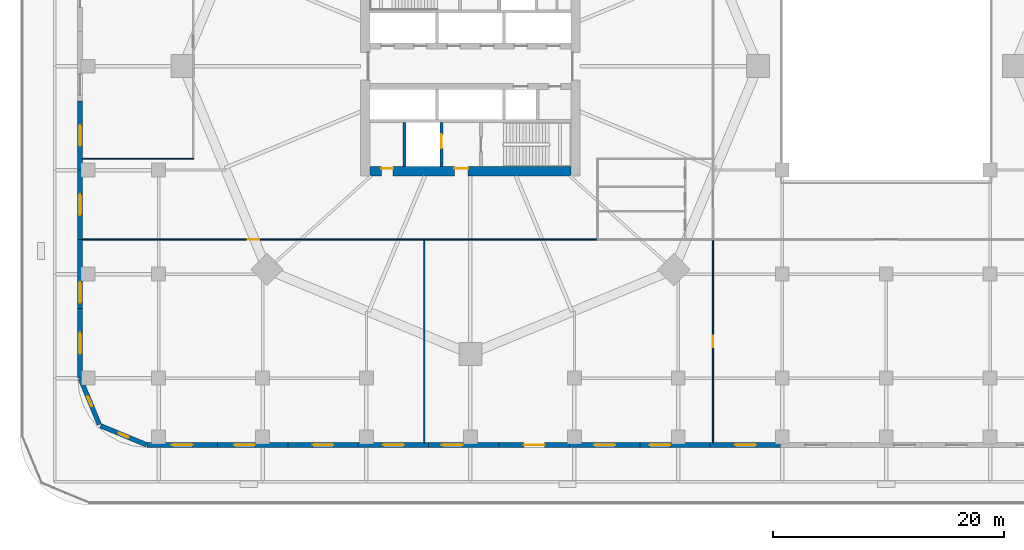
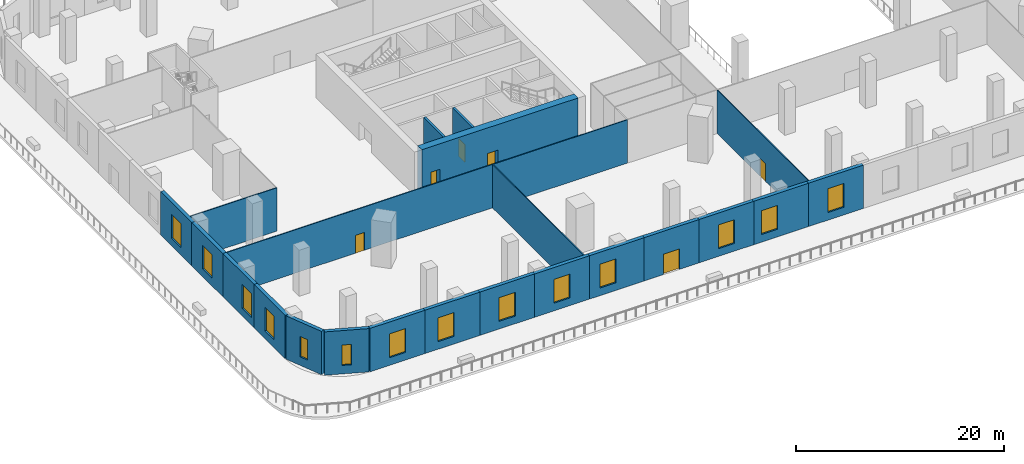
# One storey, part 4 of 20: 23 walls, 14 windows, 6 doors, 20 openings.
"""IFC4 building model written with IfcOpenShell, lengths in metres."""

from ifc_helpers import new_model, si_unit, direction, frame, frame_2d, origin, place, context, subcontext, project, spatial, rectangle, extrude, material, layer, layer_set, type_object, element, fill, save


model = new_model("IFC4")

# Units and contexts
model_context = context("Model", 3, precision=1e-05, world=origin(), true_north=direction((0.0, 1.0)))
body_context = subcontext(model_context, "Body", "Model", "MODEL_VIEW")
ifc_project = project(units=[si_unit("LENGTHUNIT", "METRE"), si_unit("AREAUNIT", "SQUARE_METRE"), si_unit("VOLUMEUNIT", "CUBIC_METRE"), si_unit("PLANEANGLEUNIT", "RADIAN"), si_unit("MASSUNIT", "GRAM", prefix="KILO")], contexts=[model_context])

# Site, building, storey
site_placement = place(None, origin())
site = spatial("IfcSite", under=ifc_project, at=site_placement, CompositionType="ELEMENT")
building_placement = place(site_placement, origin())
building = spatial("IfcBuilding", under=site, at=building_placement, Name="Ogive Gate Towers", CompositionType="ELEMENT")
storey_placement = place(building_placement, frame((0.0, 0.0, 7.199951171875)))
storey = spatial("IfcBuildingStorey", under=building, at=storey_placement, Name="L01", CompositionType="ELEMENT", Elevation=7.199951171875)

# Wall, openings, doors
ifc_material_1 = material(Name="Concrete C60/75", Category="concrete")
ifc_layer_1 = layer(ifc_material_1, 0.800048828125)
ifc_layer_set_1 = layer_set([ifc_layer_1], Name="Core wall 800 mm")
wall_type_1 = type_object("IfcWallType", Name="Core wall 800 mm", PredefinedType="SHEAR", material=ifc_layer_set_1)
wall_1_placement = place(storey_placement, frame((-44.699951171875, -9.10009765625, 0.0), z_axis=(0.0, 0.0, 1.0), x_axis=(1.0, 0.0, 0.0)))
wall_1 = element("IfcWall", 1, at=wall_1_placement, inside=storey, type_object=wall_type_1, Name="T1 L01 Core wall 800 mm", PredefinedType="SHEAR", context=body_context, shape_type="SweptSolid", body=[
    extrude(rectangle(XDim=17.39990234375, YDim=0.800048828125, at=frame_2d((8.699951171875, 0.0))), origin(), (0.0, 0.0, 1.0), 5.10009765625),
])
opening_1_placement = place(wall_1_placement, frame((7.300048828125, 0.0, 0.0)))
opening_1 = element("IfcOpeningElement", 2, at=opening_1_placement, cuts=wall_1, Name="Opening KD-T1-L01-16", PredefinedType="OPENING", context=body_context, shape_type="SweptSolid", body=[
    extrude(rectangle(XDim=1.199951171875, YDim=2.10009765625, at=frame_2d((0.60009765625, 1.050048828125))), frame((0.0, 0.41015625, 0.0), z_axis=(0.0, -1.0, 0.0), x_axis=(1.0, 0.0, 0.0)), (0.0, 0.0, 1.0), 0.820068359375),
])
opening_2_placement = place(wall_1_placement, frame((1.0, 0.0, 0.0)))
opening_2 = element("IfcOpeningElement", 3, at=opening_2_placement, cuts=wall_1, Name="Opening KD-T1-L01-19", PredefinedType="OPENING", context=body_context, shape_type="SweptSolid", body=[
    extrude(rectangle(XDim=1.0, YDim=2.10009765625, at=frame_2d((0.5, 1.050048828125))), frame((0.0, 0.41015625, 0.0), z_axis=(0.0, -1.0, 0.0), x_axis=(1.0, 0.0, 0.0)), (0.0, 0.0, 1.0), 0.820068359375),
])
ifc_material_2 = material(Name="Timber door", Category="wood")
door_type_1 = type_object("IfcDoorType", Name="Accessible WC door 1000 x 2100", OperationType="NOTDEFINED", PredefinedType="DOOR", material=ifc_material_2)
door_1_placement = place(opening_2_placement, origin())
door_1 = element("IfcDoor", 4, at=door_1_placement, inside=storey, type_object=door_type_1, Name="T1 L01 Core door", OperationType="SINGLE_SWING_RIGHT", OverallHeight=2.10009765625, OverallWidth=1.0, PredefinedType="DOOR", context=body_context, shape_type="SweptSolid", body=[
    extrude(rectangle(XDim=1.0, YDim=2.10009765625, at=frame_2d((0.5, 1.050048828125))), frame((0.0, 0.27490234375, 0.0), z_axis=(0.0, -1.0, 0.0), x_axis=(1.0, 0.0, 0.0)), (0.0, 0.0, 1.0), 0.050048828125),
])
fill(opening_2, door_1)
ifc_material_3 = material(Name="Steel fire door", Category="steel")
door_type_2 = type_object("IfcDoorType", Name="Core door FD60S 1200 x 2100", OperationType="NOTDEFINED", PredefinedType="DOOR", material=ifc_material_3)
door_2_placement = place(opening_1_placement, origin())
door_2 = element("IfcDoor", 5, at=door_2_placement, inside=storey, type_object=door_type_2, Name="T1 L01 Fire-fighting lobby door", OperationType="SINGLE_SWING_LEFT", OverallHeight=2.10009765625, OverallWidth=1.199951171875, PredefinedType="DOOR", context=body_context, shape_type="SweptSolid", body=[
    extrude(rectangle(XDim=1.199951171875, YDim=2.10009765625, at=frame_2d((0.60009765625, 1.050048828125))), frame((0.0, 0.27490234375, 0.0), z_axis=(0.0, -1.0, 0.0), x_axis=(1.0, 0.0, 0.0)), (0.0, 0.0, 1.0), 0.050048828125),
])
fill(opening_1, door_2)

# Wall, opening, door
ifc_material_4 = material(Name="Gypsum board partition")
ifc_layer_2 = layer(ifc_material_4, 0.10009765625)
ifc_layer_set_2 = layer_set([ifc_layer_2], Name="Partition wall 100")
wall_type_2 = type_object("IfcWallType", Name="Partition wall 100", PredefinedType="PARTITIONING", material=ifc_layer_set_2)
wall_2_placement = place(storey_placement, frame((-15.0, -32.60009765625, 0.0), z_axis=(0.0, 0.0, 1.0), x_axis=(0.0, 1.0, 0.0)))
wall_2 = element("IfcWall", 6, at=wall_2_placement, inside=storey, type_object=wall_type_2, Name="L01 partition 033", PredefinedType="PARTITIONING", context=body_context, shape_type="SweptSolid", body=[
    extrude(rectangle(XDim=17.550048828125, YDim=0.10009765625, at=frame_2d((8.77490234375, 0.0))), origin(), (0.0, 0.0, 1.0), 5.10009765625),
])
opening_3_placement = place(wall_2_placement, frame((8.27490234375, 0.0, 0.0)))
opening_3 = element("IfcOpeningElement", 7, at=opening_3_placement, cuts=wall_2, Name="Opening PO142", PredefinedType="OPENING", context=body_context, shape_type="SweptSolid", body=[
    extrude(rectangle(XDim=1.0, YDim=2.10009765625, at=frame_2d((0.5, 1.050048828125))), frame((0.0, 0.06005859375, 0.0), z_axis=(0.0, -1.0, 0.0), x_axis=(1.0, 0.0, 0.0)), (0.0, 0.0, 1.0), 0.1201171875),
])
door_type_3 = type_object("IfcDoorType", Name="Door 1000 x 2100", OperationType="NOTDEFINED", PredefinedType="DOOR", material=ifc_material_2)
door_3_placement = place(opening_3_placement, origin())
door_3 = element("IfcDoor", 8, at=door_3_placement, inside=storey, type_object=door_type_3, Name="Door PO142", OperationType="SINGLE_SWING_RIGHT", OverallHeight=2.10009765625, OverallWidth=1.0, PredefinedType="DOOR", context=body_context, shape_type="SweptSolid", body=[
    extrude(rectangle(XDim=1.0, YDim=2.10009765625, at=frame_2d((0.5, 1.050048828125))), frame((0.0, 0.02490234375, 0.0), z_axis=(0.0, -1.0, 0.0), x_axis=(1.0, 0.0, 0.0)), (0.0, 0.0, 1.0), 0.050048828125),
])
fill(opening_3, door_3)

# Wall
wall_3_placement = place(storey_placement, frame((-40.0, -32.60009765625, 0.0), z_axis=(0.0, 0.0, 1.0), x_axis=(0.0, 1.0, 0.0)))
element("IfcWall", 9, at=wall_3_placement, inside=storey, type_object=wall_type_2, Name="L01 partition 035", PredefinedType="PARTITIONING", context=body_context, shape_type="SweptSolid", body=[
    extrude(rectangle(XDim=17.550048828125, YDim=0.10009765625, at=frame_2d((8.77490234375, 0.0))), origin(), (0.0, 0.0, 1.0), 5.10009765625),
])

# Wall, opening, door
wall_4_placement = place(storey_placement, frame((-69.60009765625, -15.0, 0.0), z_axis=(0.0, 0.0, 1.0), x_axis=(1.0, 0.0, 0.0)))
wall_4 = element("IfcWall", 10, at=wall_4_placement, inside=storey, type_object=wall_type_2, Name="L01 partition 036", PredefinedType="PARTITIONING", context=body_context, shape_type="SweptSolid", body=[
    extrude(rectangle(XDim=29.60009765625, YDim=0.10009765625, at=frame_2d((14.800048828125, 0.0))), origin(), (0.0, 0.0, 1.0), 5.10009765625),
])
opening_4_placement = place(wall_4_placement, frame((14.300048828125, 0.0, 0.0)))
opening_4 = element("IfcOpeningElement", 11, at=opening_4_placement, cuts=wall_4, Name="Opening PO141", PredefinedType="OPENING", context=body_context, shape_type="SweptSolid", body=[
    extrude(rectangle(XDim=1.0, YDim=2.10009765625, at=frame_2d((0.5, 1.050048828125))), frame((0.0, 0.06005859375, 0.0), z_axis=(0.0, -1.0, 0.0), x_axis=(1.0, 0.0, 0.0)), (0.0, 0.0, 1.0), 0.1201171875),
])
door_4_placement = place(opening_4_placement, origin())
door_4 = element("IfcDoor", 12, at=door_4_placement, inside=storey, type_object=door_type_3, Name="Door PO141", OperationType="SINGLE_SWING_LEFT", OverallHeight=2.10009765625, OverallWidth=1.0, PredefinedType="DOOR", context=body_context, shape_type="SweptSolid", body=[
    extrude(rectangle(XDim=1.0, YDim=2.10009765625, at=frame_2d((0.5, 1.050048828125))), frame((0.0, 0.02490234375, 0.0), z_axis=(0.0, -1.0, 0.0), x_axis=(1.0, 0.0, 0.0)), (0.0, 0.0, 1.0), 0.050048828125),
])
fill(opening_4, door_4)

# Walls
wall_5_placement = place(storey_placement, frame((-40.0, -15.0, 0.0), z_axis=(0.0, 0.0, 1.0), x_axis=(1.0, 0.0, 0.0)))
element("IfcWall", 13, at=wall_5_placement, inside=storey, type_object=wall_type_2, Name="L01 partition 039", PredefinedType="PARTITIONING", context=body_context, shape_type="SweptSolid", body=[
    extrude(rectangle(XDim=15.0, YDim=0.10009765625, at=frame_2d((7.5, 0.0))), origin(), (0.0, 0.0, 1.0), 5.10009765625),
])
wall_6_placement = place(storey_placement, frame((-69.60009765625, -8.0, 0.0), z_axis=(0.0, 0.0, 1.0), x_axis=(1.0, 0.0, 0.0)))
element("IfcWall", 14, at=wall_6_placement, inside=storey, type_object=wall_type_2, Name="L01 partition 044", PredefinedType="PARTITIONING", context=body_context, shape_type="SweptSolid", body=[
    extrude(rectangle(XDim=9.650146484375, YDim=0.10009765625, at=frame_2d((4.8251953125, 0.0))), origin(), (0.0, 0.0, 1.0), 5.10009765625),
])

# Wall, opening, window
ifc_material_5 = material(Name="Precast concrete C40/50", Category="concrete")
ifc_layer_3 = layer(ifc_material_5, 0.39990234375)
ifc_layer_set_3 = layer_set([ifc_layer_3], Name="Podium wall 400")
wall_type_3 = type_object("IfcWallType", Name="Podium wall 400", PredefinedType="SOLIDWALL", material=ifc_layer_set_3)
wall_7_placement = place(storey_placement, frame((-69.800048828125, -3.0, 0.0), z_axis=(0.0, 0.0, 1.0), x_axis=(0.0, -1.0, 0.0)))
wall_7 = element("IfcWall", 15, at=wall_7_placement, inside=storey, type_object=wall_type_3, Name="Podium wall", PredefinedType="SOLIDWALL", context=body_context, shape_type="SweptSolid", body=[
    extrude(rectangle(XDim=6.0, YDim=0.39990234375, at=frame_2d((3.0, 0.0))), origin(), (0.0, 0.0, 1.0), 5.10009765625),
])
opening_5_placement = place(wall_7_placement, frame((2.10009765625, 0.0, 0.89990234375)))
opening_5 = element("IfcOpeningElement", 16, at=opening_5_placement, cuts=wall_7, Name="Opening WN1", PredefinedType="OPENING", context=body_context, shape_type="SweptSolid", body=[
    extrude(rectangle(XDim=1.800048828125, YDim=2.800048828125, at=frame_2d((0.89990234375, 1.39990234375))), frame((0.0, 0.2099609375, 0.0), z_axis=(0.0, -1.0, 0.0), x_axis=(1.0, 0.0, 0.0)), (0.0, 0.0, 1.0), 0.419921875),
])
ifc_material_6 = material(Name="Clear glass", Category="glass")
window_type_1 = type_object("IfcWindowType", Name="Podium window 1800 x 2800", PartitioningType="SINGLE_PANEL", PredefinedType="WINDOW", material=ifc_material_6)
window_1_placement = place(opening_5_placement, origin())
window_1 = element("IfcWindow", 17, at=window_1_placement, inside=storey, type_object=window_type_1, Name="Podium window", OverallHeight=2.800048828125, OverallWidth=1.800048828125, PartitioningType="SINGLE_PANEL", PredefinedType="WINDOW", context=body_context, shape_type="SweptSolid", body=[
    extrude(rectangle(XDim=1.800048828125, YDim=2.800048828125, at=frame_2d((0.89990234375, 1.39990234375))), frame((0.0, 0.030029296875, 0.0), z_axis=(0.0, -1.0, 0.0), x_axis=(1.0, 0.0, 0.0)), (0.0, 0.0, 1.0), 0.06005859375),
])
fill(opening_5, window_1)

wall_8_placement = place(storey_placement, frame((-69.800048828125, -9.0, 0.0), z_axis=(0.0, 0.0, 1.0), x_axis=(0.0, -1.0, 0.0)))
wall_8 = element("IfcWall", 18, at=wall_8_placement, inside=storey, type_object=wall_type_3, Name="Podium wall", PredefinedType="SOLIDWALL", context=body_context, shape_type="SweptSolid", body=[
    extrude(rectangle(XDim=6.0, YDim=0.39990234375, at=frame_2d((3.0, 0.0))), origin(), (0.0, 0.0, 1.0), 5.10009765625),
])
opening_6_placement = place(wall_8_placement, frame((2.10009765625, 0.0, 0.89990234375)))
opening_6 = element("IfcOpeningElement", 19, at=opening_6_placement, cuts=wall_8, Name="Opening WN1", PredefinedType="OPENING", context=body_context, shape_type="SweptSolid", body=[
    extrude(rectangle(XDim=1.800048828125, YDim=2.800048828125, at=frame_2d((0.89990234375, 1.39990234375))), frame((0.0, 0.2099609375, 0.0), z_axis=(0.0, -1.0, 0.0), x_axis=(1.0, 0.0, 0.0)), (0.0, 0.0, 1.0), 0.419921875),
])
window_2_placement = place(opening_6_placement, origin())
window_2 = element("IfcWindow", 20, at=window_2_placement, inside=storey, type_object=window_type_1, Name="Podium window", OverallHeight=2.800048828125, OverallWidth=1.800048828125, PartitioningType="SINGLE_PANEL", PredefinedType="WINDOW", context=body_context, shape_type="SweptSolid", body=[
    extrude(rectangle(XDim=1.800048828125, YDim=2.800048828125, at=frame_2d((0.89990234375, 1.39990234375))), frame((0.0, 0.030029296875, 0.0), z_axis=(0.0, -1.0, 0.0), x_axis=(1.0, 0.0, 0.0)), (0.0, 0.0, 1.0), 0.06005859375),
])
fill(opening_6, window_2)

wall_9_placement = place(storey_placement, frame((-69.800048828125, -15.0, 0.0), z_axis=(0.0, 0.0, 1.0), x_axis=(0.0, -1.0, 0.0)))
wall_9 = element("IfcWall", 21, at=wall_9_placement, inside=storey, type_object=wall_type_3, Name="Podium wall", PredefinedType="SOLIDWALL", context=body_context, shape_type="SweptSolid", body=[
    extrude(rectangle(XDim=6.0, YDim=0.39990234375, at=frame_2d((3.0, 0.0))), origin(), (0.0, 0.0, 1.0), 5.10009765625),
])
opening_7_placement = place(wall_9_placement, frame((3.699951171875, 0.0, 0.89990234375)))
opening_7 = element("IfcOpeningElement", 22, at=opening_7_placement, cuts=wall_9, Name="Opening WN1", PredefinedType="OPENING", context=body_context, shape_type="SweptSolid", body=[
    extrude(rectangle(XDim=1.800048828125, YDim=2.800048828125, at=frame_2d((0.89990234375, 1.39990234375))), frame((0.0, 0.2099609375, 0.0), z_axis=(0.0, -1.0, 0.0), x_axis=(1.0, 0.0, 0.0)), (0.0, 0.0, 1.0), 0.419921875),
])
window_3_placement = place(opening_7_placement, origin())
window_3 = element("IfcWindow", 23, at=window_3_placement, inside=storey, type_object=window_type_1, Name="Podium window", OverallHeight=2.800048828125, OverallWidth=1.800048828125, PartitioningType="SINGLE_PANEL", PredefinedType="WINDOW", context=body_context, shape_type="SweptSolid", body=[
    extrude(rectangle(XDim=1.800048828125, YDim=2.800048828125, at=frame_2d((0.89990234375, 1.39990234375))), frame((0.0, 0.030029296875, 0.0), z_axis=(0.0, -1.0, 0.0), x_axis=(1.0, 0.0, 0.0)), (0.0, 0.0, 1.0), 0.06005859375),
])
fill(opening_7, window_3)

wall_10_placement = place(storey_placement, frame((-69.800048828125, -21.0, 0.0), z_axis=(0.0, 0.0, 1.0), x_axis=(0.0, -1.0, 0.0)))
wall_10 = element("IfcWall", 24, at=wall_10_placement, inside=storey, type_object=wall_type_3, Name="Podium wall", PredefinedType="SOLIDWALL", context=body_context, shape_type="SweptSolid", body=[
    extrude(rectangle(XDim=6.0, YDim=0.39990234375, at=frame_2d((3.0, 0.0))), origin(), (0.0, 0.0, 1.0), 5.10009765625),
])
opening_8_placement = place(wall_10_placement, frame((2.10009765625, 0.0, 0.89990234375)))
opening_8 = element("IfcOpeningElement", 25, at=opening_8_placement, cuts=wall_10, Name="Opening WN1", PredefinedType="OPENING", context=body_context, shape_type="SweptSolid", body=[
    extrude(rectangle(XDim=1.800048828125, YDim=2.800048828125, at=frame_2d((0.89990234375, 1.39990234375))), frame((0.0, 0.2099609375, 0.0), z_axis=(0.0, -1.0, 0.0), x_axis=(1.0, 0.0, 0.0)), (0.0, 0.0, 1.0), 0.419921875),
])
window_4_placement = place(opening_8_placement, origin())
window_4 = element("IfcWindow", 26, at=window_4_placement, inside=storey, type_object=window_type_1, Name="Podium window", OverallHeight=2.800048828125, OverallWidth=1.800048828125, PartitioningType="SINGLE_PANEL", PredefinedType="WINDOW", context=body_context, shape_type="SweptSolid", body=[
    extrude(rectangle(XDim=1.800048828125, YDim=2.800048828125, at=frame_2d((0.89990234375, 1.39990234375))), frame((0.0, 0.030029296875, 0.0), z_axis=(0.0, -1.0, 0.0), x_axis=(1.0, 0.0, 0.0)), (0.0, 0.0, 1.0), 0.06005859375),
])
fill(opening_8, window_4)

wall_11_placement = place(storey_placement, frame((-69.784912109375, -27.036865234375, 0.0), z_axis=(0.0, 0.0, 1.0), x_axis=(0.382743086333, -0.923854820772, 0.0)))
wall_11 = element("IfcWall", 27, at=wall_11_placement, inside=storey, type_object=wall_type_3, Name="Podium wall", PredefinedType="SOLIDWALL", context=body_context, shape_type="SweptSolid", body=[
    extrude(rectangle(XDim=4.31640625, YDim=0.39990234375, at=frame_2d((2.158203125, 0.0))), origin(), (0.0, 0.0, 1.0), 5.10009765625),
])
opening_9_placement = place(wall_11_placement, frame((1.708251953125, 0.0, 1.0)))
opening_9 = element("IfcOpeningElement", 28, at=opening_9_placement, cuts=wall_11, Name="Opening WN5", PredefinedType="OPENING", context=body_context, shape_type="SweptSolid", body=[
    extrude(rectangle(XDim=0.89990234375, YDim=2.39990234375, at=frame_2d((0.449951171875, 1.199951171875))), frame((0.0, 0.2099609375, 0.0), z_axis=(0.0, -1.0, 0.0), x_axis=(1.0, 0.0, 0.0)), (0.0, 0.0, 1.0), 0.419921875),
])
window_type_2 = type_object("IfcWindowType", Name="Narrow window 900 x 2400", PartitioningType="SINGLE_PANEL", PredefinedType="WINDOW", material=ifc_material_6)
window_5_placement = place(opening_9_placement, origin())
window_5 = element("IfcWindow", 29, at=window_5_placement, inside=storey, type_object=window_type_2, Name="Podium window", OverallHeight=2.39990234375, OverallWidth=0.89990234375, PartitioningType="SINGLE_PANEL", PredefinedType="WINDOW", context=body_context, shape_type="SweptSolid", body=[
    extrude(rectangle(XDim=0.89990234375, YDim=2.39990234375, at=frame_2d((0.449951171875, 1.199951171875))), frame((0.0, 0.030029296875, 0.0), z_axis=(0.0, -1.0, 0.0), x_axis=(1.0, 0.0, 0.0)), (0.0, 0.0, 1.0), 0.06005859375),
])
fill(opening_9, window_5)

wall_12_placement = place(storey_placement, frame((-68.024658203125, -31.1328125, 0.0), z_axis=(0.0, 0.0, 1.0), x_axis=(0.923854820772, -0.382743086333, 0.0)))
wall_12 = element("IfcWall", 30, at=wall_12_placement, inside=storey, type_object=wall_type_3, Name="Podium wall", PredefinedType="SOLIDWALL", context=body_context, shape_type="SweptSolid", body=[
    extrude(rectangle(XDim=4.31640625, YDim=0.39990234375, at=frame_2d((2.158203125, 0.0))), origin(), (0.0, 0.0, 1.0), 5.10009765625),
])
opening_10_placement = place(wall_12_placement, frame((1.708251953125, 0.0, 1.0)))
opening_10 = element("IfcOpeningElement", 31, at=opening_10_placement, cuts=wall_12, Name="Opening WN5", PredefinedType="OPENING", context=body_context, shape_type="SweptSolid", body=[
    extrude(rectangle(XDim=0.89990234375, YDim=2.39990234375, at=frame_2d((0.449951171875, 1.199951171875))), frame((0.0, 0.2099609375, 0.0), z_axis=(0.0, -1.0, 0.0), x_axis=(1.0, 0.0, 0.0)), (0.0, 0.0, 1.0), 0.419921875),
])
window_6_placement = place(opening_10_placement, origin())
window_6 = element("IfcWindow", 32, at=window_6_placement, inside=storey, type_object=window_type_2, Name="Podium window", OverallHeight=2.39990234375, OverallWidth=0.89990234375, PartitioningType="SINGLE_PANEL", PredefinedType="WINDOW", context=body_context, shape_type="SweptSolid", body=[
    extrude(rectangle(XDim=0.89990234375, YDim=2.39990234375, at=frame_2d((0.449951171875, 1.199951171875))), frame((0.0, 0.030029296875, 0.0), z_axis=(0.0, -1.0, 0.0), x_axis=(1.0, 0.0, 0.0)), (0.0, 0.0, 1.0), 0.06005859375),
])
fill(opening_10, window_6)

wall_13_placement = place(storey_placement, frame((-64.0, -32.800048828125, 0.0), z_axis=(0.0, 0.0, 1.0), x_axis=(1.0, 0.0, 0.0)))
wall_13 = element("IfcWall", 33, at=wall_13_placement, inside=storey, type_object=wall_type_3, Name="Podium wall", PredefinedType="SOLIDWALL", context=body_context, shape_type="SweptSolid", body=[
    extrude(rectangle(XDim=6.09521484375, YDim=0.39990234375, at=frame_2d((3.047607421875, 0.0))), origin(), (0.0, 0.0, 1.0), 5.10009765625),
])
opening_11_placement = place(wall_13_placement, frame((2.147705078125, 0.0, 0.89990234375)))
opening_11 = element("IfcOpeningElement", 34, at=opening_11_placement, cuts=wall_13, Name="Opening WN1", PredefinedType="OPENING", context=body_context, shape_type="SweptSolid", body=[
    extrude(rectangle(XDim=1.800048828125, YDim=2.800048828125, at=frame_2d((0.89990234375, 1.39990234375))), frame((0.0, 0.2099609375, 0.0), z_axis=(0.0, -1.0, 0.0), x_axis=(1.0, 0.0, 0.0)), (0.0, 0.0, 1.0), 0.419921875),
])
window_7_placement = place(opening_11_placement, origin())
window_7 = element("IfcWindow", 35, at=window_7_placement, inside=storey, type_object=window_type_1, Name="Podium window", OverallHeight=2.800048828125, OverallWidth=1.800048828125, PartitioningType="SINGLE_PANEL", PredefinedType="WINDOW", context=body_context, shape_type="SweptSolid", body=[
    extrude(rectangle(XDim=1.800048828125, YDim=2.800048828125, at=frame_2d((0.89990234375, 1.39990234375))), frame((0.0, 0.030029296875, 0.0), z_axis=(0.0, -1.0, 0.0), x_axis=(1.0, 0.0, 0.0)), (0.0, 0.0, 1.0), 0.06005859375),
])
fill(opening_11, window_7)

wall_14_placement = place(storey_placement, frame((-57.90478515625, -32.800048828125, 0.0), z_axis=(0.0, 0.0, 1.0), x_axis=(1.0, 0.0, 0.0)))
wall_14 = element("IfcWall", 36, at=wall_14_placement, inside=storey, type_object=wall_type_3, Name="Podium wall", PredefinedType="SOLIDWALL", context=body_context, shape_type="SweptSolid", body=[
    extrude(rectangle(XDim=6.09521484375, YDim=0.39990234375, at=frame_2d((3.047607421875, 0.0))), origin(), (0.0, 0.0, 1.0), 5.10009765625),
])
opening_12_placement = place(wall_14_placement, frame((1.447509765625, 0.0, 0.89990234375)))
opening_12 = element("IfcOpeningElement", 37, at=opening_12_placement, cuts=wall_14, Name="Opening WN1", PredefinedType="OPENING", context=body_context, shape_type="SweptSolid", body=[
    extrude(rectangle(XDim=1.800048828125, YDim=2.800048828125, at=frame_2d((0.89990234375, 1.39990234375))), frame((0.0, 0.2099609375, 0.0), z_axis=(0.0, -1.0, 0.0), x_axis=(1.0, 0.0, 0.0)), (0.0, 0.0, 1.0), 0.419921875),
])
window_8_placement = place(opening_12_placement, origin())
window_8 = element("IfcWindow", 38, at=window_8_placement, inside=storey, type_object=window_type_1, Name="Podium window", OverallHeight=2.800048828125, OverallWidth=1.800048828125, PartitioningType="SINGLE_PANEL", PredefinedType="WINDOW", context=body_context, shape_type="SweptSolid", body=[
    extrude(rectangle(XDim=1.800048828125, YDim=2.800048828125, at=frame_2d((0.89990234375, 1.39990234375))), frame((0.0, 0.030029296875, 0.0), z_axis=(0.0, -1.0, 0.0), x_axis=(1.0, 0.0, 0.0)), (0.0, 0.0, 1.0), 0.06005859375),
])
fill(opening_12, window_8)

wall_15_placement = place(storey_placement, frame((-51.8095703125, -32.800048828125, 0.0), z_axis=(0.0, 0.0, 1.0), x_axis=(1.0, 0.0, 0.0)))
wall_15 = element("IfcWall", 39, at=wall_15_placement, inside=storey, type_object=wall_type_3, Name="Podium wall", PredefinedType="SOLIDWALL", context=body_context, shape_type="SweptSolid", body=[
    extrude(rectangle(XDim=6.09521484375, YDim=0.39990234375, at=frame_2d((3.047607421875, 0.0))), origin(), (0.0, 0.0, 1.0), 5.10009765625),
])
opening_13_placement = place(wall_15_placement, frame((2.147705078125, 0.0, 0.89990234375)))
opening_13 = element("IfcOpeningElement", 40, at=opening_13_placement, cuts=wall_15, Name="Opening WN1", PredefinedType="OPENING", context=body_context, shape_type="SweptSolid", body=[
    extrude(rectangle(XDim=1.800048828125, YDim=2.800048828125, at=frame_2d((0.89990234375, 1.39990234375))), frame((0.0, 0.2099609375, 0.0), z_axis=(0.0, -1.0, 0.0), x_axis=(1.0, 0.0, 0.0)), (0.0, 0.0, 1.0), 0.419921875),
])
window_9_placement = place(opening_13_placement, origin())
window_9 = element("IfcWindow", 41, at=window_9_placement, inside=storey, type_object=window_type_1, Name="Podium window", OverallHeight=2.800048828125, OverallWidth=1.800048828125, PartitioningType="SINGLE_PANEL", PredefinedType="WINDOW", context=body_context, shape_type="SweptSolid", body=[
    extrude(rectangle(XDim=1.800048828125, YDim=2.800048828125, at=frame_2d((0.89990234375, 1.39990234375))), frame((0.0, 0.030029296875, 0.0), z_axis=(0.0, -1.0, 0.0), x_axis=(1.0, 0.0, 0.0)), (0.0, 0.0, 1.0), 0.06005859375),
])
fill(opening_13, window_9)

wall_16_placement = place(storey_placement, frame((-45.71435546875, -32.800048828125, 0.0), z_axis=(0.0, 0.0, 1.0), x_axis=(1.0, 0.0, 0.0)))
wall_16 = element("IfcWall", 42, at=wall_16_placement, inside=storey, type_object=wall_type_3, Name="Podium wall", PredefinedType="SOLIDWALL", context=body_context, shape_type="SweptSolid", body=[
    extrude(rectangle(XDim=6.095458984375, YDim=0.39990234375, at=frame_2d((3.0478515625, 0.0))), origin(), (0.0, 0.0, 1.0), 5.10009765625),
])
opening_14_placement = place(wall_16_placement, frame((2.147705078125, 0.0, 0.89990234375)))
opening_14 = element("IfcOpeningElement", 43, at=opening_14_placement, cuts=wall_16, Name="Opening WN1", PredefinedType="OPENING", context=body_context, shape_type="SweptSolid", body=[
    extrude(rectangle(XDim=1.800048828125, YDim=2.800048828125, at=frame_2d((0.89990234375, 1.39990234375))), frame((0.0, 0.2099609375, 0.0), z_axis=(0.0, -1.0, 0.0), x_axis=(1.0, 0.0, 0.0)), (0.0, 0.0, 1.0), 0.419921875),
])
window_10_placement = place(opening_14_placement, origin())
window_10 = element("IfcWindow", 44, at=window_10_placement, inside=storey, type_object=window_type_1, Name="Podium window", OverallHeight=2.800048828125, OverallWidth=1.800048828125, PartitioningType="SINGLE_PANEL", PredefinedType="WINDOW", context=body_context, shape_type="SweptSolid", body=[
    extrude(rectangle(XDim=1.800048828125, YDim=2.800048828125, at=frame_2d((0.89990234375, 1.39990234375))), frame((0.0, 0.030029296875, 0.0), z_axis=(0.0, -1.0, 0.0), x_axis=(1.0, 0.0, 0.0)), (0.0, 0.0, 1.0), 0.06005859375),
])
fill(opening_14, window_10)

wall_17_placement = place(storey_placement, frame((-39.618896484375, -32.800048828125, 0.0), z_axis=(0.0, 0.0, 1.0), x_axis=(1.0, 0.0, 0.0)))
wall_17 = element("IfcWall", 45, at=wall_17_placement, inside=storey, type_object=wall_type_3, Name="Podium wall", PredefinedType="SOLIDWALL", context=body_context, shape_type="SweptSolid", body=[
    extrude(rectangle(XDim=6.09521484375, YDim=0.39990234375, at=frame_2d((3.047607421875, 0.0))), origin(), (0.0, 0.0, 1.0), 5.10009765625),
])
opening_15_placement = place(wall_17_placement, frame((1.147705078125, 0.0, 0.89990234375)))
opening_15 = element("IfcOpeningElement", 46, at=opening_15_placement, cuts=wall_17, Name="Opening WN1", PredefinedType="OPENING", context=body_context, shape_type="SweptSolid", body=[
    extrude(rectangle(XDim=1.800048828125, YDim=2.800048828125, at=frame_2d((0.89990234375, 1.39990234375))), frame((0.0, 0.2099609375, 0.0), z_axis=(0.0, -1.0, 0.0), x_axis=(1.0, 0.0, 0.0)), (0.0, 0.0, 1.0), 0.419921875),
])
window_11_placement = place(opening_15_placement, origin())
window_11 = element("IfcWindow", 47, at=window_11_placement, inside=storey, type_object=window_type_1, Name="Podium window", OverallHeight=2.800048828125, OverallWidth=1.800048828125, PartitioningType="SINGLE_PANEL", PredefinedType="WINDOW", context=body_context, shape_type="SweptSolid", body=[
    extrude(rectangle(XDim=1.800048828125, YDim=2.800048828125, at=frame_2d((0.89990234375, 1.39990234375))), frame((0.0, 0.030029296875, 0.0), z_axis=(0.0, -1.0, 0.0), x_axis=(1.0, 0.0, 0.0)), (0.0, 0.0, 1.0), 0.06005859375),
])
fill(opening_15, window_11)

# Wall, opening, door
wall_18_placement = place(storey_placement, frame((-33.523681640625, -32.800048828125, 0.0), z_axis=(0.0, 0.0, 1.0), x_axis=(1.0, 0.0, 0.0)))
wall_18 = element("IfcWall", 48, at=wall_18_placement, inside=storey, type_object=wall_type_3, Name="Podium wall", PredefinedType="SOLIDWALL", context=body_context, shape_type="SweptSolid", body=[
    extrude(rectangle(XDim=6.094970703125, YDim=0.39990234375, at=frame_2d((3.04736328125, 0.0))), origin(), (0.0, 0.0, 1.0), 5.10009765625),
])
opening_16_placement = place(wall_18_placement, frame((2.147705078125, 0.0, 0.0)))
opening_16 = element("IfcOpeningElement", 49, at=opening_16_placement, cuts=wall_18, Name="Opening ED3-L01-05", PredefinedType="OPENING", context=body_context, shape_type="SweptSolid", body=[
    extrude(rectangle(XDim=1.800048828125, YDim=2.39990234375, at=frame_2d((0.89990234375, 1.199951171875))), frame((0.0, 0.2099609375, 0.0), z_axis=(0.0, -1.0, 0.0), x_axis=(1.0, 0.0, 0.0)), (0.0, 0.0, 1.0), 0.419921875),
])
ifc_material_7 = material(Name="Pale metal aluminium", Category="aluminium")
door_type_4 = type_object("IfcDoorType", Name="Terrace door 1800 x 2400", OperationType="DOUBLE_DOOR_SINGLE_SWING", PredefinedType="DOOR", material=ifc_material_7)
door_5_placement = place(opening_16_placement, origin())
door_5 = element("IfcDoor", 50, at=door_5_placement, inside=storey, type_object=door_type_4, Name="Exterior door", OperationType="SINGLE_SWING_LEFT", OverallHeight=2.39990234375, OverallWidth=1.800048828125, PredefinedType="DOOR", context=body_context, shape_type="SweptSolid", body=[
    extrude(rectangle(XDim=1.800048828125, YDim=2.39990234375, at=frame_2d((0.89990234375, 1.199951171875))), frame((0.0, 0.02490234375, 0.0), z_axis=(0.0, -1.0, 0.0), x_axis=(1.0, 0.0, 0.0)), (0.0, 0.0, 1.0), 0.050048828125),
])
fill(opening_16, door_5)

# Wall, opening, window
wall_19_placement = place(storey_placement, frame((-27.4287109375, -32.800048828125, 0.0), z_axis=(0.0, 0.0, 1.0), x_axis=(1.0, 0.0, 0.0)))
wall_19 = element("IfcWall", 51, at=wall_19_placement, inside=storey, type_object=wall_type_3, Name="Podium wall", PredefinedType="SOLIDWALL", context=body_context, shape_type="SweptSolid", body=[
    extrude(rectangle(XDim=6.095458984375, YDim=0.39990234375, at=frame_2d((3.0478515625, 0.0))), origin(), (0.0, 0.0, 1.0), 5.10009765625),
])
opening_17_placement = place(wall_19_placement, frame((2.147705078125, 0.0, 0.89990234375)))
opening_17 = element("IfcOpeningElement", 52, at=opening_17_placement, cuts=wall_19, Name="Opening WN1", PredefinedType="OPENING", context=body_context, shape_type="SweptSolid", body=[
    extrude(rectangle(XDim=1.800048828125, YDim=2.800048828125, at=frame_2d((0.89990234375, 1.39990234375))), frame((0.0, 0.2099609375, 0.0), z_axis=(0.0, -1.0, 0.0), x_axis=(1.0, 0.0, 0.0)), (0.0, 0.0, 1.0), 0.419921875),
])
window_12_placement = place(opening_17_placement, origin())
window_12 = element("IfcWindow", 53, at=window_12_placement, inside=storey, type_object=window_type_1, Name="Podium window", OverallHeight=2.800048828125, OverallWidth=1.800048828125, PartitioningType="SINGLE_PANEL", PredefinedType="WINDOW", context=body_context, shape_type="SweptSolid", body=[
    extrude(rectangle(XDim=1.800048828125, YDim=2.800048828125, at=frame_2d((0.89990234375, 1.39990234375))), frame((0.0, 0.030029296875, 0.0), z_axis=(0.0, -1.0, 0.0), x_axis=(1.0, 0.0, 0.0)), (0.0, 0.0, 1.0), 0.06005859375),
])
fill(opening_17, window_12)

wall_20_placement = place(storey_placement, frame((-21.333251953125, -32.800048828125, 0.0), z_axis=(0.0, 0.0, 1.0), x_axis=(1.0, 0.0, 0.0)))
wall_20 = element("IfcWall", 54, at=wall_20_placement, inside=storey, type_object=wall_type_3, Name="Podium wall", PredefinedType="SOLIDWALL", context=body_context, shape_type="SweptSolid", body=[
    extrude(rectangle(XDim=6.09521484375, YDim=0.39990234375, at=frame_2d((3.047607421875, 0.0))), origin(), (0.0, 0.0, 1.0), 5.10009765625),
])
opening_18_placement = place(wall_20_placement, frame((0.84765625, 0.0, 0.89990234375)))
opening_18 = element("IfcOpeningElement", 55, at=opening_18_placement, cuts=wall_20, Name="Opening WN1", PredefinedType="OPENING", context=body_context, shape_type="SweptSolid", body=[
    extrude(rectangle(XDim=1.800048828125, YDim=2.800048828125, at=frame_2d((0.89990234375, 1.39990234375))), frame((0.0, 0.2099609375, 0.0), z_axis=(0.0, -1.0, 0.0), x_axis=(1.0, 0.0, 0.0)), (0.0, 0.0, 1.0), 0.419921875),
])
window_13_placement = place(opening_18_placement, origin())
window_13 = element("IfcWindow", 56, at=window_13_placement, inside=storey, type_object=window_type_1, Name="Podium window", OverallHeight=2.800048828125, OverallWidth=1.800048828125, PartitioningType="SINGLE_PANEL", PredefinedType="WINDOW", context=body_context, shape_type="SweptSolid", body=[
    extrude(rectangle(XDim=1.800048828125, YDim=2.800048828125, at=frame_2d((0.89990234375, 1.39990234375))), frame((0.0, 0.030029296875, 0.0), z_axis=(0.0, -1.0, 0.0), x_axis=(1.0, 0.0, 0.0)), (0.0, 0.0, 1.0), 0.06005859375),
])
fill(opening_18, window_13)

wall_21_placement = place(storey_placement, frame((-15.238037109375, -32.800048828125, 0.0), z_axis=(0.0, 0.0, 1.0), x_axis=(1.0, 0.0, 0.0)))
wall_21 = element("IfcWall", 57, at=wall_21_placement, inside=storey, type_object=wall_type_3, Name="Podium wall", PredefinedType="SOLIDWALL", context=body_context, shape_type="SweptSolid", body=[
    extrude(rectangle(XDim=6.09521484375, YDim=0.39990234375, at=frame_2d((3.047607421875, 0.0))), origin(), (0.0, 0.0, 1.0), 5.10009765625),
])
opening_19_placement = place(wall_21_placement, frame((2.147705078125, 0.0, 0.89990234375)))
opening_19 = element("IfcOpeningElement", 58, at=opening_19_placement, cuts=wall_21, Name="Opening WN1", PredefinedType="OPENING", context=body_context, shape_type="SweptSolid", body=[
    extrude(rectangle(XDim=1.800048828125, YDim=2.800048828125, at=frame_2d((0.89990234375, 1.39990234375))), frame((0.0, 0.2099609375, 0.0), z_axis=(0.0, -1.0, 0.0), x_axis=(1.0, 0.0, 0.0)), (0.0, 0.0, 1.0), 0.419921875),
])
window_14_placement = place(opening_19_placement, origin())
window_14 = element("IfcWindow", 59, at=window_14_placement, inside=storey, type_object=window_type_1, Name="Podium window", OverallHeight=2.800048828125, OverallWidth=1.800048828125, PartitioningType="SINGLE_PANEL", PredefinedType="WINDOW", context=body_context, shape_type="SweptSolid", body=[
    extrude(rectangle(XDim=1.800048828125, YDim=2.800048828125, at=frame_2d((0.89990234375, 1.39990234375))), frame((0.0, 0.030029296875, 0.0), z_axis=(0.0, -1.0, 0.0), x_axis=(1.0, 0.0, 0.0)), (0.0, 0.0, 1.0), 0.06005859375),
])
fill(opening_19, window_14)

# Wall
ifc_layer_4 = layer(ifc_material_1, 0.25)
ifc_layer_set_4 = layer_set([ifc_layer_4], Name="Shaft wall 250 mm")
wall_type_4 = type_object("IfcWallType", Name="Shaft wall 250 mm", PredefinedType="SHEAR", material=ifc_layer_set_4)
wall_22_placement = place(storey_placement, frame((-41.699951171875, -8.699951171875, 0.0), z_axis=(0.0, 0.0, 1.0), x_axis=(0.0, 1.0, 0.0)))
element("IfcWall", 60, at=wall_22_placement, inside=storey, type_object=wall_type_4, Name="T1 L01 Shaft wall 250 mm", PredefinedType="SHEAR", context=body_context, shape_type="SweptSolid", body=[
    extrude(rectangle(XDim=3.824951171875, YDim=0.25, at=frame_2d((1.91259765625, 0.0))), origin(), (0.0, 0.0, 1.0), 5.10009765625),
])

# Wall, opening, door
wall_23_placement = place(storey_placement, frame((-38.5, -8.699951171875, 0.0), z_axis=(0.0, 0.0, 1.0), x_axis=(0.0, 1.0, 0.0)))
wall_23 = element("IfcWall", 61, at=wall_23_placement, inside=storey, type_object=wall_type_4, Name="T1 L01 Shaft wall 250 mm", PredefinedType="SHEAR", context=body_context, shape_type="SweptSolid", body=[
    extrude(rectangle(XDim=3.824951171875, YDim=0.25, at=frame_2d((1.91259765625, 0.0))), origin(), (0.0, 0.0, 1.0), 5.10009765625),
])
opening_20_placement = place(wall_23_placement, frame((1.60009765625, 0.0, 0.0)))
opening_20 = element("IfcOpeningElement", 62, at=opening_20_placement, cuts=wall_23, Name="Opening LD-T1-L01-11", PredefinedType="OPENING", context=body_context, shape_type="SweptSolid", body=[
    extrude(rectangle(XDim=1.199951171875, YDim=2.10009765625, at=frame_2d((0.60009765625, 1.050048828125))), frame((0.0, 0.135009765625, 0.0), z_axis=(0.0, -1.0, 0.0), x_axis=(1.0, 0.0, 0.0)), (0.0, 0.0, 1.0), 0.27001953125),
])
ifc_material_8 = material(Name="Stainless steel landing door", Category="steel")
door_type_5 = type_object("IfcDoorType", Name="Landing door 1200 x 2100", OperationType="SLIDING_TO_LEFT", PredefinedType="DOOR", material=ifc_material_8)
door_6_placement = place(opening_20_placement, origin())
door_6 = element("IfcDoor", 63, at=door_6_placement, inside=storey, type_object=door_type_5, Name="T1 L01 Lift landing door FF2", OperationType="SLIDING_TO_LEFT", OverallHeight=2.10009765625, OverallWidth=1.199951171875, PredefinedType="DOOR", context=body_context, shape_type="SweptSolid", body=[
    extrude(rectangle(XDim=1.199951171875, YDim=2.10009765625, at=frame_2d((0.60009765625, 1.050048828125))), frame((0.0, 0.02490234375, 0.0), z_axis=(0.0, -1.0, 0.0), x_axis=(1.0, 0.0, 0.0)), (0.0, 0.0, 1.0), 0.050048828125),
])
fill(opening_20, door_6)

save(model, "model.ifc")
